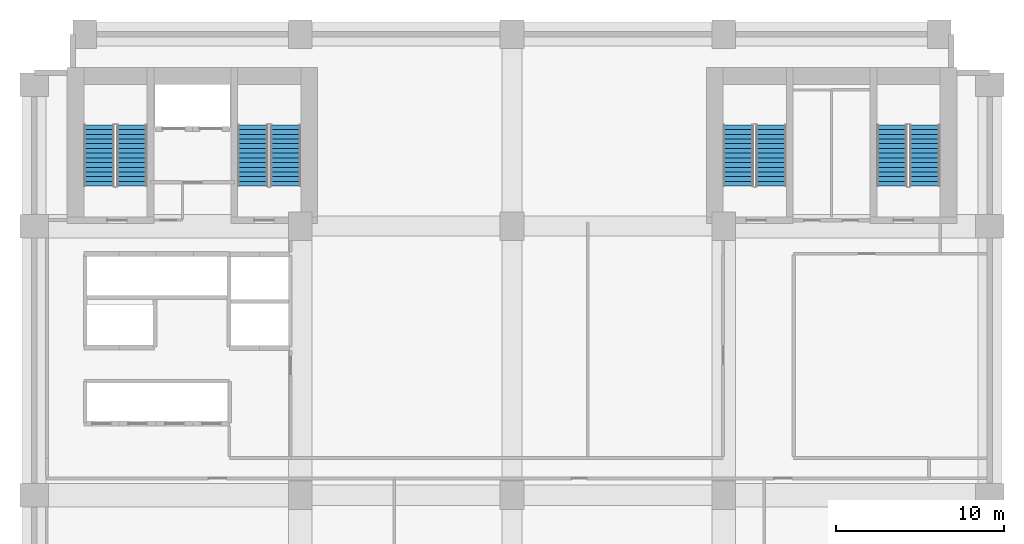
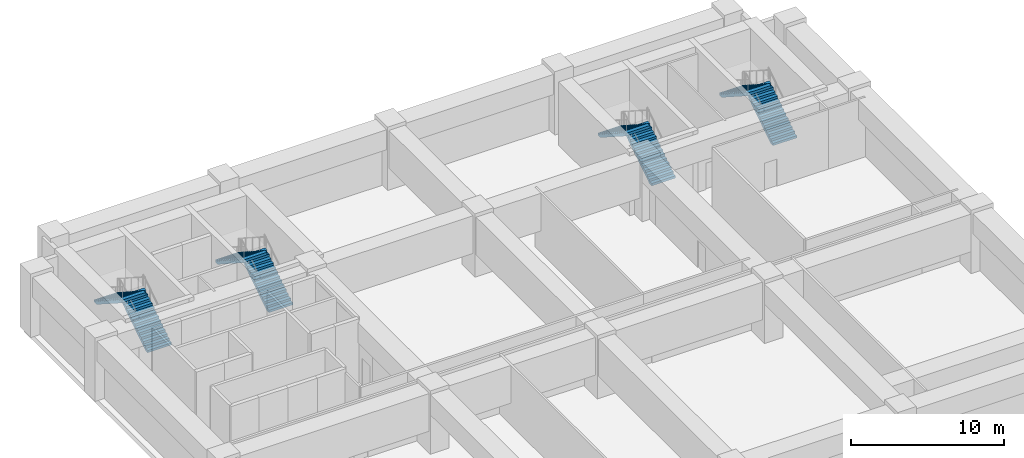
# One storey, part 4 of 6: 8 stair flights, 4 elements without a shape of their own.
"""IFC4 building model written with IfcOpenShell, lengths in metres."""

from ifc_helpers import new_model, si_unit, direction, frame, origin, place, context, subcontext, project, spatial, polyline, outline, extrude, material, type_object, element, aggregate, save


model = new_model("IFC4")

# Units and contexts
model_context = context("Model", 3, precision=1e-05, world=origin(), true_north=direction((0.0, 1.0)))
body_context = subcontext(model_context, "Body", "Model", "MODEL_VIEW")
ifc_project = project(units=[si_unit("LENGTHUNIT", "METRE"), si_unit("AREAUNIT", "SQUARE_METRE"), si_unit("VOLUMEUNIT", "CUBIC_METRE"), si_unit("PLANEANGLEUNIT", "RADIAN"), si_unit("MASSUNIT", "GRAM", prefix="KILO")], contexts=[model_context])

# Site, building, storey
site_placement = place(None, origin())
site = spatial("IfcSite", under=ifc_project, at=site_placement, CompositionType="ELEMENT")
building_placement = place(site_placement, origin())
building = spatial("IfcBuilding", under=site, at=building_placement, Name="Sulina Concourse Tower", CompositionType="ELEMENT")
storey_placement = place(building_placement, frame((0.0, 0.0, 17.550048828125)))
storey = spatial("IfcBuildingStorey", under=building, at=storey_placement, Name="L04", CompositionType="ELEMENT", Elevation=17.550048828125)

# Stair, stair flights
ifc_material_1 = material(Name="Concrete C50/60", Category="concrete")
stair_type_1 = type_object("IfcStairType", Name="Portal & Podium Core Exit Stair 1820mm", PredefinedType="HALF_TURN_STAIR", material=ifc_material_1)
stair_1_placement = place(storey_placement, origin())
stair_1 = element("IfcStair", 1, at=stair_1_placement, inside=storey, type_object=stair_type_1, Name="L04 ST-3", PredefinedType="HALF_TURN_STAIR")
ifc_material_2 = material(Name="Concrete C50/60", Category="concrete")
stair_flight_type_1 = type_object("IfcStairFlightType", Name="Portal & Podium Core Exit Stair 1820mm Flight", PredefinedType="STRAIGHT", material=ifc_material_2)
stair_flight_1_placement = place(storey_placement, frame((44.405029296875, 36.375, 0.0), z_axis=(0.0, 0.0, 1.0), x_axis=(0.0, 1.0, 0.0)))
stair_flight_1 = element("IfcStairFlight", 2, at=stair_flight_1_placement, type_object=stair_flight_type_1, Name="ST-3 flight 1", NumberOfRisers=14, NumberOfTreads=13, PredefinedType="STRAIGHT", RiserHeight=0.180357143, TreadLength=0.28, context=body_context, shape_type="SweptSolid", body=[
    extrude(outline(polyline([(0.0, 0.0), (0.0, 0.180419921875), (0.280029296875, 0.180419921875), (0.280029296875, 0.360595703125), (0.56005859375, 0.360595703125), (0.56005859375, 0.541015625), (0.840087890625, 0.541015625), (0.840087890625, 0.721435546875), (1.1201171875, 0.721435546875), (1.1201171875, 0.90185546875), (1.39990234375, 0.90185546875), (1.39990234375, 1.08203125), (1.679931640625, 1.08203125), (1.679931640625, 1.262451171875), (1.9599609375, 1.262451171875), (1.9599609375, 1.44287109375), (2.239990234375, 1.44287109375), (2.239990234375, 1.623291015625), (2.52001953125, 1.623291015625), (2.52001953125, 1.803466796875), (2.800048828125, 1.803466796875), (2.800048828125, 1.98388671875), (3.080078125, 1.98388671875), (3.080078125, 2.164306640625), (3.360107421875, 2.164306640625), (3.360107421875, 2.3447265625), (3.639892578125, 2.3447265625), (3.639892578125, 2.52490234375), (3.639892578125, 2.130615234375), (0.332275390625, 0.0), (0.0, 0.0)])), frame((0.0, 0.89990234375, 0.0), z_axis=(0.0, -1.0, 0.0), x_axis=(1.0, 0.0, 0.0)), (0.0, 0.0, 1.0), 1.800048828125),
])
stair_flight_2_placement = place(storey_placement, frame((42.455078125, 40.014892578125, 2.52490234375), z_axis=(0.0, 0.0, 1.0), x_axis=(0.0, -1.0, 0.0)))
stair_flight_2 = element("IfcStairFlight", 3, at=stair_flight_2_placement, type_object=stair_flight_type_1, Name="ST-3 flight 2", NumberOfRisers=14, NumberOfTreads=13, PredefinedType="STRAIGHT", RiserHeight=0.180357143, TreadLength=0.28, context=body_context, shape_type="SweptSolid", body=[
    extrude(outline(polyline([(0.0, 0.0), (0.0, 0.180419921875), (0.280029296875, 0.180419921875), (0.280029296875, 0.360595703125), (0.56005859375, 0.360595703125), (0.56005859375, 0.541015625), (0.840087890625, 0.541015625), (0.840087890625, 0.721435546875), (1.1201171875, 0.721435546875), (1.1201171875, 0.90185546875), (1.39990234375, 0.90185546875), (1.39990234375, 1.08203125), (1.679931640625, 1.08203125), (1.679931640625, 1.262451171875), (1.9599609375, 1.262451171875), (1.9599609375, 1.44287109375), (2.239990234375, 1.44287109375), (2.239990234375, 1.623291015625), (2.52001953125, 1.623291015625), (2.52001953125, 1.803466796875), (2.800048828125, 1.803466796875), (2.800048828125, 1.98388671875), (3.080078125, 1.98388671875), (3.080078125, 2.164306640625), (3.360107421875, 2.164306640625), (3.360107421875, 2.3447265625), (3.639892578125, 2.3447265625), (3.639892578125, 2.52490234375), (3.639892578125, 2.130615234375), (0.332275390625, 0.0), (0.0, 0.0)])), frame((0.0, 0.89990234375, 0.0), z_axis=(0.0, -1.0, 0.0), x_axis=(1.0, 0.0, 0.0)), (0.0, 0.0, 1.0), 1.800048828125),
])
aggregate(stair_1, [stair_flight_1, stair_flight_2])

stair_2_placement = place(storey_placement, origin())
stair_2 = element("IfcStair", 4, at=stair_2_placement, inside=storey, type_object=stair_type_1, Name="L04 ST-4", PredefinedType="HALF_TURN_STAIR")
stair_flight_3_placement = place(storey_placement, frame((53.544921875, 36.375, 0.0), z_axis=(0.0, 0.0, 1.0), x_axis=(0.0, 1.0, 0.0)))
stair_flight_3 = element("IfcStairFlight", 5, at=stair_flight_3_placement, type_object=stair_flight_type_1, Name="ST-4 flight 1", NumberOfRisers=14, NumberOfTreads=13, PredefinedType="STRAIGHT", RiserHeight=0.180357143, TreadLength=0.28, context=body_context, shape_type="SweptSolid", body=[
    extrude(outline(polyline([(0.0, 0.0), (0.0, 0.180419921875), (0.280029296875, 0.180419921875), (0.280029296875, 0.360595703125), (0.56005859375, 0.360595703125), (0.56005859375, 0.541015625), (0.840087890625, 0.541015625), (0.840087890625, 0.721435546875), (1.1201171875, 0.721435546875), (1.1201171875, 0.90185546875), (1.39990234375, 0.90185546875), (1.39990234375, 1.08203125), (1.679931640625, 1.08203125), (1.679931640625, 1.262451171875), (1.9599609375, 1.262451171875), (1.9599609375, 1.44287109375), (2.239990234375, 1.44287109375), (2.239990234375, 1.623291015625), (2.52001953125, 1.623291015625), (2.52001953125, 1.803466796875), (2.800048828125, 1.803466796875), (2.800048828125, 1.98388671875), (3.080078125, 1.98388671875), (3.080078125, 2.164306640625), (3.360107421875, 2.164306640625), (3.360107421875, 2.3447265625), (3.639892578125, 2.3447265625), (3.639892578125, 2.52490234375), (3.639892578125, 2.130615234375), (0.332275390625, 0.0), (0.0, 0.0)])), frame((0.0, 0.89990234375, 0.0), z_axis=(0.0, -1.0, 0.0), x_axis=(1.0, 0.0, 0.0)), (0.0, 0.0, 1.0), 1.800048828125),
])
stair_flight_4_placement = place(storey_placement, frame((51.594970703125, 40.014892578125, 2.52490234375), z_axis=(0.0, 0.0, 1.0), x_axis=(0.0, -1.0, 0.0)))
stair_flight_4 = element("IfcStairFlight", 6, at=stair_flight_4_placement, type_object=stair_flight_type_1, Name="ST-4 flight 2", NumberOfRisers=14, NumberOfTreads=13, PredefinedType="STRAIGHT", RiserHeight=0.180357143, TreadLength=0.28, context=body_context, shape_type="SweptSolid", body=[
    extrude(outline(polyline([(0.0, 0.0), (0.0, 0.180419921875), (0.280029296875, 0.180419921875), (0.280029296875, 0.360595703125), (0.56005859375, 0.360595703125), (0.56005859375, 0.541015625), (0.840087890625, 0.541015625), (0.840087890625, 0.721435546875), (1.1201171875, 0.721435546875), (1.1201171875, 0.90185546875), (1.39990234375, 0.90185546875), (1.39990234375, 1.08203125), (1.679931640625, 1.08203125), (1.679931640625, 1.262451171875), (1.9599609375, 1.262451171875), (1.9599609375, 1.44287109375), (2.239990234375, 1.44287109375), (2.239990234375, 1.623291015625), (2.52001953125, 1.623291015625), (2.52001953125, 1.803466796875), (2.800048828125, 1.803466796875), (2.800048828125, 1.98388671875), (3.080078125, 1.98388671875), (3.080078125, 2.164306640625), (3.360107421875, 2.164306640625), (3.360107421875, 2.3447265625), (3.639892578125, 2.3447265625), (3.639892578125, 2.52490234375), (3.639892578125, 2.130615234375), (0.332275390625, 0.0), (0.0, 0.0)])), frame((0.0, 0.89990234375, 0.0), z_axis=(0.0, -1.0, 0.0), x_axis=(1.0, 0.0, 0.0)), (0.0, 0.0, 1.0), 1.800048828125),
])
aggregate(stair_2, [stair_flight_3, stair_flight_4])

ifc_material_3 = material(Name="Concrete C50/60", Category="concrete")
stair_type_2 = type_object("IfcStairType", Name="Primary Core Dog-Leg Exit Stair 1800mm", PredefinedType="HALF_TURN_STAIR", material=ifc_material_3)
stair_3_placement = place(storey_placement, origin())
stair_3 = element("IfcStair", 7, at=stair_3_placement, inside=storey, type_object=stair_type_2, Name="L04 ST-1", PredefinedType="HALF_TURN_STAIR")
ifc_material_4 = material(Name="Concrete C50/60", Category="concrete")
stair_flight_type_2 = type_object("IfcStairFlightType", Name="Primary Core Dog-Leg Exit Stair 1800mm Flight", PredefinedType="STRAIGHT", material=ifc_material_4)
stair_flight_5_placement = place(storey_placement, frame((6.405029296875, 36.375, 0.0), z_axis=(0.0, 0.0, 1.0), x_axis=(0.0, 1.0, 0.0)))
stair_flight_5 = element("IfcStairFlight", 8, at=stair_flight_5_placement, type_object=stair_flight_type_2, Name="ST-1 flight 1", NumberOfRisers=14, NumberOfTreads=13, PredefinedType="STRAIGHT", RiserHeight=0.180357143, TreadLength=0.28, context=body_context, shape_type="SweptSolid", body=[
    extrude(outline(polyline([(0.0, 0.0), (0.0, 0.180419921875), (0.280029296875, 0.180419921875), (0.280029296875, 0.360595703125), (0.56005859375, 0.360595703125), (0.56005859375, 0.541015625), (0.840087890625, 0.541015625), (0.840087890625, 0.721435546875), (1.1201171875, 0.721435546875), (1.1201171875, 0.90185546875), (1.39990234375, 0.90185546875), (1.39990234375, 1.08203125), (1.679931640625, 1.08203125), (1.679931640625, 1.262451171875), (1.9599609375, 1.262451171875), (1.9599609375, 1.44287109375), (2.239990234375, 1.44287109375), (2.239990234375, 1.623291015625), (2.52001953125, 1.623291015625), (2.52001953125, 1.803466796875), (2.800048828125, 1.803466796875), (2.800048828125, 1.98388671875), (3.080078125, 1.98388671875), (3.080078125, 2.164306640625), (3.360107421875, 2.164306640625), (3.360107421875, 2.3447265625), (3.639892578125, 2.3447265625), (3.639892578125, 2.52490234375), (3.639892578125, 2.130615234375), (0.332275390625, 0.0), (0.0, 0.0)])), frame((0.0, 0.89990234375, 0.0), z_axis=(0.0, -1.0, 0.0), x_axis=(1.0, 0.0, 0.0)), (0.0, 0.0, 1.0), 1.800048828125),
])
stair_flight_6_placement = place(storey_placement, frame((4.455078125, 40.014892578125, 2.52490234375), z_axis=(0.0, 0.0, 1.0), x_axis=(0.0, -1.0, 0.0)))
stair_flight_6 = element("IfcStairFlight", 9, at=stair_flight_6_placement, type_object=stair_flight_type_2, Name="ST-1 flight 2", NumberOfRisers=14, NumberOfTreads=13, PredefinedType="STRAIGHT", RiserHeight=0.180357143, TreadLength=0.28, context=body_context, shape_type="SweptSolid", body=[
    extrude(outline(polyline([(0.0, 0.0), (0.0, 0.180419921875), (0.280029296875, 0.180419921875), (0.280029296875, 0.360595703125), (0.56005859375, 0.360595703125), (0.56005859375, 0.541015625), (0.840087890625, 0.541015625), (0.840087890625, 0.721435546875), (1.1201171875, 0.721435546875), (1.1201171875, 0.90185546875), (1.39990234375, 0.90185546875), (1.39990234375, 1.08203125), (1.679931640625, 1.08203125), (1.679931640625, 1.262451171875), (1.9599609375, 1.262451171875), (1.9599609375, 1.44287109375), (2.239990234375, 1.44287109375), (2.239990234375, 1.623291015625), (2.52001953125, 1.623291015625), (2.52001953125, 1.803466796875), (2.800048828125, 1.803466796875), (2.800048828125, 1.98388671875), (3.080078125, 1.98388671875), (3.080078125, 2.164306640625), (3.360107421875, 2.164306640625), (3.360107421875, 2.3447265625), (3.639892578125, 2.3447265625), (3.639892578125, 2.52490234375), (3.639892578125, 2.130615234375), (0.332275390625, 0.0), (0.0, 0.0)])), frame((0.0, 0.89990234375, 0.0), z_axis=(0.0, -1.0, 0.0), x_axis=(1.0, 0.0, 0.0)), (0.0, 0.0, 1.0), 1.800048828125),
])
aggregate(stair_3, [stair_flight_5, stair_flight_6])

stair_4_placement = place(storey_placement, origin())
stair_4 = element("IfcStair", 10, at=stair_4_placement, inside=storey, type_object=stair_type_2, Name="L04 ST-2", PredefinedType="HALF_TURN_STAIR")
stair_flight_7_placement = place(storey_placement, frame((15.544921875, 36.375, 0.0), z_axis=(0.0, 0.0, 1.0), x_axis=(0.0, 1.0, 0.0)))
stair_flight_7 = element("IfcStairFlight", 11, at=stair_flight_7_placement, type_object=stair_flight_type_2, Name="ST-2 flight 1", NumberOfRisers=14, NumberOfTreads=13, PredefinedType="STRAIGHT", RiserHeight=0.180357143, TreadLength=0.28, context=body_context, shape_type="SweptSolid", body=[
    extrude(outline(polyline([(0.0, 0.0), (0.0, 0.180419921875), (0.280029296875, 0.180419921875), (0.280029296875, 0.360595703125), (0.56005859375, 0.360595703125), (0.56005859375, 0.541015625), (0.840087890625, 0.541015625), (0.840087890625, 0.721435546875), (1.1201171875, 0.721435546875), (1.1201171875, 0.90185546875), (1.39990234375, 0.90185546875), (1.39990234375, 1.08203125), (1.679931640625, 1.08203125), (1.679931640625, 1.262451171875), (1.9599609375, 1.262451171875), (1.9599609375, 1.44287109375), (2.239990234375, 1.44287109375), (2.239990234375, 1.623291015625), (2.52001953125, 1.623291015625), (2.52001953125, 1.803466796875), (2.800048828125, 1.803466796875), (2.800048828125, 1.98388671875), (3.080078125, 1.98388671875), (3.080078125, 2.164306640625), (3.360107421875, 2.164306640625), (3.360107421875, 2.3447265625), (3.639892578125, 2.3447265625), (3.639892578125, 2.52490234375), (3.639892578125, 2.130615234375), (0.332275390625, 0.0), (0.0, 0.0)])), frame((0.0, 0.89990234375, 0.0), z_axis=(0.0, -1.0, 0.0), x_axis=(1.0, 0.0, 0.0)), (0.0, 0.0, 1.0), 1.800048828125),
])
stair_flight_8_placement = place(storey_placement, frame((13.594970703125, 40.014892578125, 2.52490234375), z_axis=(0.0, 0.0, 1.0), x_axis=(0.0, -1.0, 0.0)))
stair_flight_8 = element("IfcStairFlight", 12, at=stair_flight_8_placement, type_object=stair_flight_type_2, Name="ST-2 flight 2", NumberOfRisers=14, NumberOfTreads=13, PredefinedType="STRAIGHT", RiserHeight=0.180357143, TreadLength=0.28, context=body_context, shape_type="SweptSolid", body=[
    extrude(outline(polyline([(0.0, 0.0), (0.0, 0.180419921875), (0.280029296875, 0.180419921875), (0.280029296875, 0.360595703125), (0.56005859375, 0.360595703125), (0.56005859375, 0.541015625), (0.840087890625, 0.541015625), (0.840087890625, 0.721435546875), (1.1201171875, 0.721435546875), (1.1201171875, 0.90185546875), (1.39990234375, 0.90185546875), (1.39990234375, 1.08203125), (1.679931640625, 1.08203125), (1.679931640625, 1.262451171875), (1.9599609375, 1.262451171875), (1.9599609375, 1.44287109375), (2.239990234375, 1.44287109375), (2.239990234375, 1.623291015625), (2.52001953125, 1.623291015625), (2.52001953125, 1.803466796875), (2.800048828125, 1.803466796875), (2.800048828125, 1.98388671875), (3.080078125, 1.98388671875), (3.080078125, 2.164306640625), (3.360107421875, 2.164306640625), (3.360107421875, 2.3447265625), (3.639892578125, 2.3447265625), (3.639892578125, 2.52490234375), (3.639892578125, 2.130615234375), (0.332275390625, 0.0), (0.0, 0.0)])), frame((0.0, 0.89990234375, 0.0), z_axis=(0.0, -1.0, 0.0), x_axis=(1.0, 0.0, 0.0)), (0.0, 0.0, 1.0), 1.800048828125),
])
aggregate(stair_4, [stair_flight_7, stair_flight_8])

save(model, "model.ifc")
